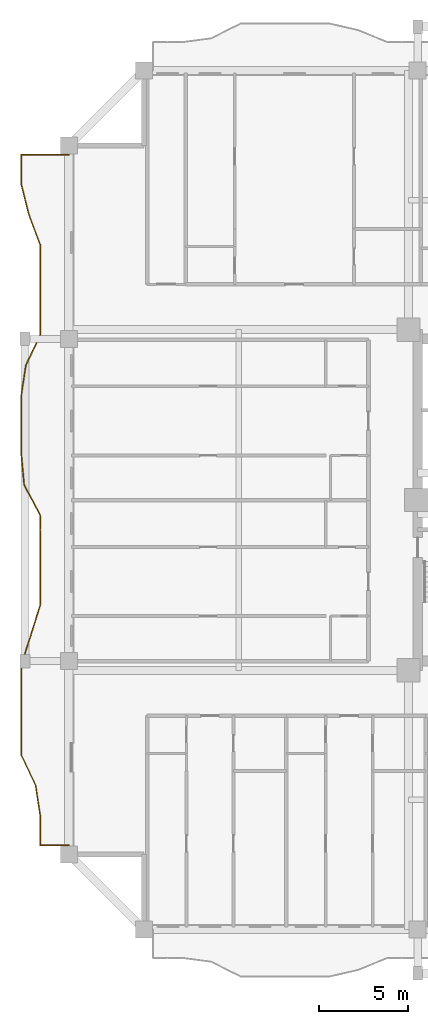
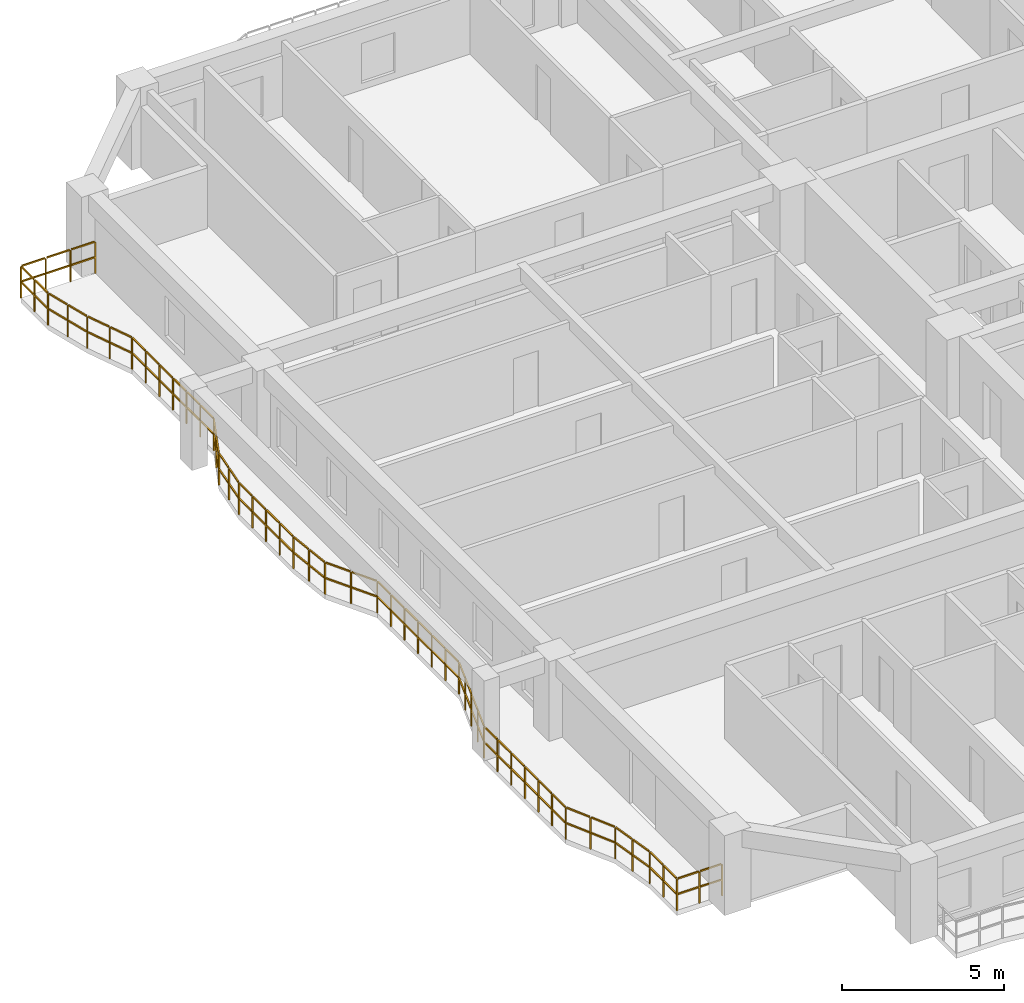
# One storey, part 10 of 13: 1 railing.
"""IFC4 building model written with IfcOpenShell, lengths in metres."""

import ifcopenshell
import ifcopenshell.guid

model = None  # the IFC model being written
_history = None  # IfcOwnerHistory: only IFC2X3 demands one
_inside = {}  # id of a spatial element -> (the spatial element, [elements in it])
_under = {}  # id of a project, library or spatial element -> (it, [spatial elements below it])
_declared = {}  # id of a project -> (the project, [libraries it declares])
_typed = {}  # id of a type object -> (the type object, [elements of that type])
_made_of = {}  # id of a material, layer set ... -> (it, [elements and type objects made of it])


def new_model(schema):
    """Start an empty IFC model of exactly this schema.

    Asked for "IFC4X3", IfcOpenShell would pick the latest addendum, in which some entities
    have other attributes; the version numbers below select the first issue.
    IFC2X3 requires an IfcOwnerHistory on every rooted entity: one is made here for all.
    """
    global model, _history
    if schema == "IFC4X3":
        model = ifcopenshell.file(schema_version=(4, 3, 0, 0))
    else:
        model = ifcopenshell.file(schema=schema)
    _inside.clear()
    _under.clear()
    _declared.clear()
    _typed.clear()
    _made_of.clear()
    _history = None
    if model.schema == "IFC2X3":
        org = make("IfcOrganization", Name="unknown")
        user = make(
            "IfcPersonAndOrganization",
            ThePerson=make("IfcPerson", FamilyName="unknown"),
            TheOrganization=org,
        )
        app = make(
            "IfcApplication",
            ApplicationDeveloper=org,
            Version="unknown",
            ApplicationFullName="unknown",
            ApplicationIdentifier="unknown",
        )
        _history = make(
            "IfcOwnerHistory",
            OwningUser=user,
            OwningApplication=app,
            ChangeAction="ADDED",
            CreationDate=0,
        )
    return model


def make(cls, **values):
    """One entity of the class cls with the attributes given. An attribute that is None is left unset."""
    return model.create_entity(
        cls, **{name: value for name, value in values.items() if value is not None}
    )


def rooted(cls, **values):
    """An entity with a GlobalId (a new one), such as an element, a storey or a relation."""
    return make(cls, GlobalId=ifcopenshell.guid.new(), OwnerHistory=_history, **values)


def si_unit(unit_type, name, prefix=None):
    """IfcSIUnit, for example si_unit("LENGTHUNIT", "METRE", prefix="MILLI")."""
    return make("IfcSIUnit", UnitType=unit_type, Prefix=prefix, Name=name)


def assignment(units):
    """IfcUnitAssignment: the units of a project."""
    return None if units is None else make("IfcUnitAssignment", Units=units)


def point(xyz):
    """IfcCartesianPoint."""
    return None if xyz is None else make("IfcCartesianPoint", Coordinates=xyz)


def direction(xyz):
    """IfcDirection."""
    return None if xyz is None else make("IfcDirection", DirectionRatios=xyz)


def frame(location, z_axis=None, x_axis=None):
    """IfcAxis2Placement3D, a coordinate frame: its origin and axes. An axis left out is left unset."""
    return make(
        "IfcAxis2Placement3D",
        Location=point(location),
        Axis=direction(z_axis),
        RefDirection=direction(x_axis),
    )


def frame_2d(location, x_axis=None):
    """IfcAxis2Placement2D, a coordinate frame in the plane: its origin and x axis."""
    return make(
        "IfcAxis2Placement2D", Location=point(location), RefDirection=direction(x_axis)
    )


def origin():
    """The frame at (0, 0, 0) with its axes left unset."""
    return frame((0.0, 0.0, 0.0))


def origin_2d():
    """The frame at (0, 0) in the plane with its x axis left unset."""
    return frame_2d((0.0, 0.0))


def place(relative_to, where):
    """IfcLocalPlacement: puts the frame where relative to a parent placement (None: the world)."""
    return make(
        "IfcLocalPlacement", PlacementRelTo=relative_to, RelativePlacement=where
    )


def context(
    kind, dimensions, precision=None, world=None, true_north=None, identifier=None
):
    """IfcGeometricRepresentationContext, for example the 3D "Model" context."""
    return make(
        "IfcGeometricRepresentationContext",
        ContextIdentifier=identifier,
        ContextType=kind,
        CoordinateSpaceDimension=dimensions,
        Precision=precision,
        WorldCoordinateSystem=world,
        TrueNorth=true_north,
    )


def subcontext(parent, identifier, kind, view, scale=None):
    """IfcGeometricRepresentationSubContext, for example "Body" below "Model"."""
    return make(
        "IfcGeometricRepresentationSubContext",
        ContextIdentifier=identifier,
        ContextType=kind,
        ParentContext=parent,
        TargetScale=scale,
        TargetView=view,
    )


def project(units=None, contexts=None):
    """IfcProject with its units and contexts."""
    return rooted(
        "IfcProject",
        Name="project",
        RepresentationContexts=contexts,
        UnitsInContext=assignment(units),
    )


def spatial(cls, under=None, at=None, **own):
    """A site, building, storey or space (cls), placed at a placement, below another one or the project."""
    s = rooted(cls, ObjectPlacement=at, **own)
    if under is not None:
        _under.setdefault(under.id(), (under, []))[1].append(s)
    return s


def profile(cls, at=None, kind="AREA", **sizes):
    """A parametric profile (cls). Its sizes go by their IFC names, for example OverallWidth=200.0."""
    return make(cls, ProfileType=kind, Position=at, **sizes)


def rectangle(**sizes):
    """IfcRectangleProfileDef."""
    return profile("IfcRectangleProfileDef", **sizes)


def extrude(swept, where, along, depth):
    """IfcExtrudedAreaSolid: the profile swept, set in the frame where, extruded along a direction by depth."""
    return make(
        "IfcExtrudedAreaSolid",
        SweptArea=swept,
        Position=where,
        ExtrudedDirection=direction(along),
        Depth=depth,
    )


def shape(context_of_items, identifier, shape_type, items):
    """IfcShapeRepresentation: the items that make up one representation, for example the "Body"."""
    return make(
        "IfcShapeRepresentation",
        ContextOfItems=context_of_items,
        RepresentationIdentifier=identifier,
        RepresentationType=shape_type,
        Items=items,
    )


def material(Name=None, Category=None):
    """IfcMaterial."""
    return make("IfcMaterial", Name=Name, Category=Category)


def made_of(thing, what):
    """Note that an element or type object is made of a material, layer set ...; save() writes the relation."""
    if what is not None:
        _made_of.setdefault(what.id(), (what, []))[1].append(thing)
    return thing


def type_object(cls, material=None, **own):
    """A type object (cls), such as IfcWallType, which elements share."""
    return made_of(rooted(cls, **own), material)


def element(
    cls,
    number,
    at=None,
    inside=None,
    cuts=None,
    type_object=None,
    material=None,
    context=None,
    identifier="Body",
    shape_type=None,
    held_by="IfcProductDefinitionShape",
    body=None,
    shapes=None,
    **own,
):
    """One element of the class cls, such as IfcWall. Its Tag is "e" and its number.

    at: its placement. inside: the storey or other place that contains it. cuts: it is an
    opening in that element (IfcRelVoidsElement). A single representation is given by context,
    identifier, shape_type and body (its items); several are given by shapes. held_by: the class
    of the entity that holds the representations. save() writes the other relations.
    """
    e = rooted(cls, Tag="e%d" % number, ObjectPlacement=at, **own)
    if body is not None:
        shapes = [shape(context, identifier, shape_type, body)]
    if shapes is not None:
        e.Representation = make(held_by, Representations=shapes)
    if inside is not None:
        _inside.setdefault(inside.id(), (inside, []))[1].append(e)
    if cuts is not None:
        rooted(
            "IfcRelVoidsElement", RelatingBuildingElement=cuts, RelatedOpeningElement=e
        )
    if type_object is not None:
        _typed.setdefault(type_object.id(), (type_object, []))[1].append(e)
    return made_of(e, material)


def aggregate(whole, parts):
    """IfcRelAggregates: a whole, such as a stair, and the parts it consists of."""
    return rooted("IfcRelAggregates", RelatingObject=whole, RelatedObjects=parts)


def save(model, path):
    """Write the relations noted so far, then the file.

    IfcRelAggregates (storeys below a building ...), IfcRelContainedInSpatialStructure (elements
    in a storey), IfcRelDefinesByType, IfcRelAssociatesMaterial and IfcRelDeclares: one each for
    every whole, place, type object, material and project.
    """
    for whole, parts in _under.values():
        aggregate(whole, parts)
    for where, things in _inside.values():
        rooted(
            "IfcRelContainedInSpatialStructure",
            RelatedElements=things,
            RelatingStructure=where,
        )
    for kind, things in _typed.values():
        rooted("IfcRelDefinesByType", RelatedObjects=things, RelatingType=kind)
    for what, things in _made_of.values():
        rooted("IfcRelAssociatesMaterial", RelatedObjects=things, RelatingMaterial=what)
    for by, libraries in _declared.values():
        rooted("IfcRelDeclares", RelatingContext=by, RelatedDefinitions=libraries)
    model.write(path)


model = new_model("IFC4")

# Units and contexts
model_context = context("Model", 3, precision=1e-05, world=origin(), true_north=direction((0.0, 1.0)))
body_context = subcontext(model_context, "Body", "Model", "MODEL_VIEW")
ifc_project = project(units=[si_unit("LENGTHUNIT", "METRE"), si_unit("AREAUNIT", "SQUARE_METRE"), si_unit("VOLUMEUNIT", "CUBIC_METRE"), si_unit("PLANEANGLEUNIT", "RADIAN"), si_unit("MASSUNIT", "GRAM", prefix="KILO")], contexts=[model_context])

# Site, building, storey
site_placement = place(None, origin())
site = spatial("IfcSite", under=ifc_project, at=site_placement, CompositionType="ELEMENT")
building_placement = place(site_placement, origin())
building = spatial("IfcBuilding", under=site, at=building_placement, Name="Saelheon Loggia Tower", CompositionType="ELEMENT")
storey_placement = place(building_placement, frame((0.0, 0.0, 83.85009765625)))
storey = spatial("IfcBuildingStorey", under=building, at=storey_placement, Name="L26", CompositionType="ELEMENT", Elevation=83.85009765625)

# Railing
ifc_material = material(Name="Architectural Precast Concrete and Laminated Glass Guard", Category="concrete")
railing_type = type_object("IfcRailingType", Name="Guard_Loggia_RL_LOG", PredefinedType="BALUSTRADE", material=ifc_material)
railing_placement = place(storey_placement, frame((12.0, 46.300048828125, 0.0)))
element("IfcRailing", 1, at=railing_placement, inside=storey, type_object=railing_type, Name="L26 West Loggia Balustrade", PredefinedType="BALUSTRADE", context=body_context, shape_type="SweptSolid", body=[
    extrude(rectangle(XDim=0.048095703125, YDim=0.048095703125, at=origin_2d()), frame((-0.033203125, 0.0, 1.19580078125), z_axis=(-1.0, 0.0, 0.0), x_axis=(0.0, -1.0, 0.0)), (0.0, 0.0, 1.0), 0.81689453125),
    extrude(rectangle(XDim=0.048095703125, YDim=0.048095703125, at=origin_2d()), frame((-0.033203125, 0.0, 0.60986328125), z_axis=(-1.0, 0.0, 0.0), x_axis=(0.0, -1.0, 0.0)), (0.0, 0.0, 1.0), 0.81689453125),
    extrude(rectangle(XDim=0.048095703125, YDim=0.048095703125, at=origin_2d()), frame((-0.91650390625, 0.0, 1.19580078125), z_axis=(-1.0, 0.0, 0.0), x_axis=(0.0, -1.0, 0.0)), (0.0, 0.0, 1.0), 0.81689453125),
    extrude(rectangle(XDim=0.048095703125, YDim=0.048095703125, at=origin_2d()), frame((-0.91650390625, 0.0, 0.60986328125), z_axis=(-1.0, 0.0, 0.0), x_axis=(0.0, -1.0, 0.0)), (0.0, 0.0, 1.0), 0.81689453125),
    extrude(rectangle(XDim=0.048095703125, YDim=0.048095703125, at=origin_2d()), frame((-1.7998046875, 0.0, 1.19580078125), z_axis=(-1.0, 0.0, 0.0), x_axis=(0.0, -1.0, 0.0)), (0.0, 0.0, 1.0), 0.81689453125),
    extrude(rectangle(XDim=0.048095703125, YDim=0.048095703125, at=origin_2d()), frame((-1.7998046875, 0.0, 0.60986328125), z_axis=(-1.0, 0.0, 0.0), x_axis=(0.0, -1.0, 0.0)), (0.0, 0.0, 1.0), 0.81689453125),
    extrude(rectangle(XDim=0.048095703125, YDim=0.048095703125, at=origin_2d()), frame((-2.64990234375, -0.033203125, 1.19580078125), z_axis=(0.0, -1.0, 0.0), x_axis=(1.0, 0.0, 0.0)), (0.0, 0.0, 1.0), 0.772705078125),
    extrude(rectangle(XDim=0.048095703125, YDim=0.048095703125, at=origin_2d()), frame((-2.64990234375, -0.033203125, 0.60986328125), z_axis=(0.0, -1.0, 0.0), x_axis=(1.0, 0.0, 0.0)), (0.0, 0.0, 1.0), 0.772705078125),
    extrude(rectangle(XDim=0.048095703125, YDim=0.048095703125, at=origin_2d()), frame((-2.64990234375, -0.87255859375, 1.19580078125), z_axis=(0.0, -1.0, 0.0), x_axis=(1.0, 0.0, 0.0)), (0.0, 0.0, 1.0), 0.772705078125),
    extrude(rectangle(XDim=0.048095703125, YDim=0.048095703125, at=origin_2d()), frame((-2.64990234375, -0.87255859375, 0.60986328125), z_axis=(0.0, -1.0, 0.0), x_axis=(1.0, 0.0, 0.0)), (0.0, 0.0, 1.0), 0.772705078125),
    extrude(rectangle(XDim=0.048095703125, YDim=0.048095703125, at=origin_2d()), frame((-2.641845703125, -1.710693359375, 1.19580078125), z_axis=(0.243830259239, -0.969817923468, 0.0), x_axis=(0.969817923468, 0.243830259239, 0.0)), (0.0, 0.0, 1.0), 0.798583984375),
    extrude(rectangle(XDim=0.048095703125, YDim=0.048095703125, at=origin_2d()), frame((-2.641845703125, -1.710693359375, 0.60986328125), z_axis=(0.243830259239, -0.969817923468, 0.0), x_axis=(0.969817923468, 0.243830259239, 0.0)), (0.0, 0.0, 1.0), 0.798583984375),
    extrude(rectangle(XDim=0.048095703125, YDim=0.048095703125, at=origin_2d()), frame((-2.430908203125, -2.5498046875, 1.19580078125), z_axis=(0.243830259239, -0.969817923468, 0.0), x_axis=(0.969817923468, 0.243830259239, 0.0)), (0.0, 0.0, 1.0), 0.798583984375),
    extrude(rectangle(XDim=0.048095703125, YDim=0.048095703125, at=origin_2d()), frame((-2.430908203125, -2.5498046875, 0.60986328125), z_axis=(0.243830259239, -0.969817923468, 0.0), x_axis=(0.969817923468, 0.243830259239, 0.0)), (0.0, 0.0, 1.0), 0.798583984375),
    extrude(rectangle(XDim=0.048095703125, YDim=0.048095703125, at=origin_2d()), frame((-2.21630859375, -3.387451171875, 1.19580078125), z_axis=(0.350391780818, -0.936603224388, 0.0), x_axis=(0.936603224388, 0.350391780818, 0.0)), (0.0, 0.0, 1.0), 0.82958984375),
    extrude(rectangle(XDim=0.048095703125, YDim=0.048095703125, at=origin_2d()), frame((-2.21630859375, -3.387451171875, 0.60986328125), z_axis=(0.350391780818, -0.936603224388, 0.0), x_axis=(0.936603224388, 0.350391780818, 0.0)), (0.0, 0.0, 1.0), 0.82958984375),
    extrude(rectangle(XDim=0.048095703125, YDim=0.048095703125, at=origin_2d()), frame((-1.90234375, -4.226806640625, 1.19580078125), z_axis=(0.350391780818, -0.936603224388, 0.0), x_axis=(0.936603224388, 0.350391780818, 0.0)), (0.0, 0.0, 1.0), 0.82958984375),
    extrude(rectangle(XDim=0.048095703125, YDim=0.048095703125, at=origin_2d()), frame((-1.90234375, -4.226806640625, 0.60986328125), z_axis=(0.350391780818, -0.936603224388, 0.0), x_axis=(0.936603224388, 0.350391780818, 0.0)), (0.0, 0.0, 1.0), 0.82958984375),
    extrude(rectangle(XDim=0.048095703125, YDim=0.048095703125, at=origin_2d()), frame((-1.60009765625, -5.068115234375, 1.19580078125), z_axis=(0.0, -1.0, 0.0), x_axis=(1.0, 0.0, 0.0)), (0.0, 0.0, 1.0), 0.772705078125),
    extrude(rectangle(XDim=0.048095703125, YDim=0.048095703125, at=origin_2d()), frame((-1.60009765625, -5.068115234375, 0.60986328125), z_axis=(0.0, -1.0, 0.0), x_axis=(1.0, 0.0, 0.0)), (0.0, 0.0, 1.0), 0.772705078125),
    extrude(rectangle(XDim=0.048095703125, YDim=0.048095703125, at=origin_2d()), frame((-1.60009765625, -5.9072265625, 1.19580078125), z_axis=(0.0, -1.0, 0.0), x_axis=(1.0, 0.0, 0.0)), (0.0, 0.0, 1.0), 0.772705078125),
    extrude(rectangle(XDim=0.048095703125, YDim=0.048095703125, at=origin_2d()), frame((-1.60009765625, -5.9072265625, 0.60986328125), z_axis=(0.0, -1.0, 0.0), x_axis=(1.0, 0.0, 0.0)), (0.0, 0.0, 1.0), 0.772705078125),
    extrude(rectangle(XDim=0.048095703125, YDim=0.048095703125, at=origin_2d()), frame((-1.60009765625, -6.746337890625, 1.19580078125), z_axis=(0.0, -1.0, 0.0), x_axis=(1.0, 0.0, 0.0)), (0.0, 0.0, 1.0), 0.772705078125),
    extrude(rectangle(XDim=0.048095703125, YDim=0.048095703125, at=origin_2d()), frame((-1.60009765625, -6.746337890625, 0.60986328125), z_axis=(0.0, -1.0, 0.0), x_axis=(1.0, 0.0, 0.0)), (0.0, 0.0, 1.0), 0.772705078125),
    extrude(rectangle(XDim=0.048095703125, YDim=0.048095703125, at=origin_2d()), frame((-1.60009765625, -7.58544921875, 1.19580078125), z_axis=(0.0, -1.0, 0.0), x_axis=(1.0, 0.0, 0.0)), (0.0, 0.0, 1.0), 0.772705078125),
    extrude(rectangle(XDim=0.048095703125, YDim=0.048095703125, at=origin_2d()), frame((-1.60009765625, -7.58544921875, 0.60986328125), z_axis=(0.0, -1.0, 0.0), x_axis=(1.0, 0.0, 0.0)), (0.0, 0.0, 1.0), 0.772705078125),
    extrude(rectangle(XDim=0.048095703125, YDim=0.048095703125, at=origin_2d()), frame((-1.60009765625, -8.424560546875, 1.19580078125), z_axis=(0.0, -1.0, 0.0), x_axis=(1.0, 0.0, 0.0)), (0.0, 0.0, 1.0), 0.772705078125),
    extrude(rectangle(XDim=0.048095703125, YDim=0.048095703125, at=origin_2d()), frame((-1.60009765625, -8.424560546875, 0.60986328125), z_axis=(0.0, -1.0, 0.0), x_axis=(1.0, 0.0, 0.0)), (0.0, 0.0, 1.0), 0.772705078125),
    extrude(rectangle(XDim=0.048095703125, YDim=0.048095703125, at=origin_2d()), frame((-1.60009765625, -9.263671875, 1.19580078125), z_axis=(0.0, -1.0, 0.0), x_axis=(1.0, 0.0, 0.0)), (0.0, 0.0, 1.0), 0.772705078125),
    extrude(rectangle(XDim=0.048095703125, YDim=0.048095703125, at=origin_2d()), frame((-1.60009765625, -9.263671875, 0.60986328125), z_axis=(0.0, -1.0, 0.0), x_axis=(1.0, 0.0, 0.0)), (0.0, 0.0, 1.0), 0.772705078125),
    extrude(rectangle(XDim=0.048095703125, YDim=0.048095703125, at=origin_2d()), frame((-1.6142578125, -10.099609375, 1.19580078125), z_axis=(-0.42678516989, -0.904353038786, 0.0), x_axis=(0.904353038786, -0.42678516989, 0.0)), (0.0, 0.0, 1.0), 0.861328125),
    extrude(rectangle(XDim=0.048095703125, YDim=0.048095703125, at=origin_2d()), frame((-1.6142578125, -10.099609375, 0.60986328125), z_axis=(-0.42678516989, -0.904353038786, 0.0), x_axis=(0.904353038786, -0.42678516989, 0.0)), (0.0, 0.0, 1.0), 0.861328125),
    extrude(rectangle(XDim=0.048095703125, YDim=0.048095703125, at=origin_2d()), frame((-2.01025390625, -10.938720703125, 1.19580078125), z_axis=(-0.42678516989, -0.904353038786, 0.0), x_axis=(0.904353038786, -0.42678516989, 0.0)), (0.0, 0.0, 1.0), 0.861328125),
    extrude(rectangle(XDim=0.048095703125, YDim=0.048095703125, at=origin_2d()), frame((-2.01025390625, -10.938720703125, 0.60986328125), z_axis=(-0.42678516989, -0.904353038786, 0.0), x_axis=(0.904353038786, -0.42678516989, 0.0)), (0.0, 0.0, 1.0), 0.861328125),
    extrude(rectangle(XDim=0.048095703125, YDim=0.048095703125, at=origin_2d()), frame((-2.397216796875, -11.78076171875, 1.19580078125), z_axis=(-0.151819504814, -0.988408234465, 0.0), x_axis=(0.988408234465, -0.151819504814, 0.0)), (0.0, 0.0, 1.0), 0.78271484375),
    extrude(rectangle(XDim=0.048095703125, YDim=0.048095703125, at=origin_2d()), frame((-2.397216796875, -11.78076171875, 0.60986328125), z_axis=(-0.151819504814, -0.988408234465, 0.0), x_axis=(0.988408234465, -0.151819504814, 0.0)), (0.0, 0.0, 1.0), 0.78271484375),
    extrude(rectangle(XDim=0.048095703125, YDim=0.048095703125, at=origin_2d()), frame((-2.526123046875, -12.619873046875, 1.19580078125), z_axis=(-0.151819504814, -0.988408234465, 0.0), x_axis=(0.988408234465, -0.151819504814, 0.0)), (0.0, 0.0, 1.0), 0.78271484375),
    extrude(rectangle(XDim=0.048095703125, YDim=0.048095703125, at=origin_2d()), frame((-2.526123046875, -12.619873046875, 0.60986328125), z_axis=(-0.151819504814, -0.988408234465, 0.0), x_axis=(0.988408234465, -0.151819504814, 0.0)), (0.0, 0.0, 1.0), 0.78271484375),
    extrude(rectangle(XDim=0.048095703125, YDim=0.048095703125, at=origin_2d()), frame((-2.64990234375, -13.45947265625, 1.19580078125), z_axis=(0.0, -1.0, 0.0), x_axis=(1.0, 0.0, 0.0)), (0.0, 0.0, 1.0), 0.7724609375),
    extrude(rectangle(XDim=0.048095703125, YDim=0.048095703125, at=origin_2d()), frame((-2.64990234375, -13.45947265625, 0.60986328125), z_axis=(0.0, -1.0, 0.0), x_axis=(1.0, 0.0, 0.0)), (0.0, 0.0, 1.0), 0.7724609375),
    extrude(rectangle(XDim=0.048095703125, YDim=0.048095703125, at=origin_2d()), frame((-2.64990234375, -14.298583984375, 1.19580078125), z_axis=(0.0, -1.0, 0.0), x_axis=(1.0, 0.0, 0.0)), (0.0, 0.0, 1.0), 0.7724609375),
    extrude(rectangle(XDim=0.048095703125, YDim=0.048095703125, at=origin_2d()), frame((-2.64990234375, -14.298583984375, 0.60986328125), z_axis=(0.0, -1.0, 0.0), x_axis=(1.0, 0.0, 0.0)), (0.0, 0.0, 1.0), 0.7724609375),
    extrude(rectangle(XDim=0.048095703125, YDim=0.048095703125, at=origin_2d()), frame((-2.64990234375, -15.137451171875, 1.19580078125), z_axis=(0.0, -1.0, 0.0), x_axis=(1.0, 0.0, 0.0)), (0.0, 0.0, 1.0), 0.772705078125),
    extrude(rectangle(XDim=0.048095703125, YDim=0.048095703125, at=origin_2d()), frame((-2.64990234375, -15.137451171875, 0.60986328125), z_axis=(0.0, -1.0, 0.0), x_axis=(1.0, 0.0, 0.0)), (0.0, 0.0, 1.0), 0.772705078125),
    extrude(rectangle(XDim=0.048095703125, YDim=0.048095703125, at=origin_2d()), frame((-2.64990234375, -15.976806640625, 1.19580078125), z_axis=(0.0, -1.0, 0.0), x_axis=(1.0, 0.0, 0.0)), (0.0, 0.0, 1.0), 0.772705078125),
    extrude(rectangle(XDim=0.048095703125, YDim=0.048095703125, at=origin_2d()), frame((-2.64990234375, -15.976806640625, 0.60986328125), z_axis=(0.0, -1.0, 0.0), x_axis=(1.0, 0.0, 0.0)), (0.0, 0.0, 1.0), 0.772705078125),
    extrude(rectangle(XDim=0.048095703125, YDim=0.048095703125, at=origin_2d()), frame((-2.646728515625, -16.81591796875, 1.19580078125), z_axis=(0.092703521138, -0.995693756719, 0.0), x_axis=(0.995693756719, 0.092703521138, 0.0)), (0.0, 0.0, 1.0), 0.7763671875),
    extrude(rectangle(XDim=0.048095703125, YDim=0.048095703125, at=origin_2d()), frame((-2.646728515625, -16.81591796875, 0.60986328125), z_axis=(0.092703521138, -0.995693756719, 0.0), x_axis=(0.995693756719, 0.092703521138, 0.0)), (0.0, 0.0, 1.0), 0.7763671875),
    extrude(rectangle(XDim=0.048095703125, YDim=0.048095703125, at=origin_2d()), frame((-2.568603515625, -17.655029296875, 1.19580078125), z_axis=(0.092703521138, -0.995693756719, 0.0), x_axis=(0.995693756719, 0.092703521138, 0.0)), (0.0, 0.0, 1.0), 0.7763671875),
    extrude(rectangle(XDim=0.048095703125, YDim=0.048095703125, at=origin_2d()), frame((-2.568603515625, -17.655029296875, 0.60986328125), z_axis=(0.092703521138, -0.995693756719, 0.0), x_axis=(0.995693756719, 0.092703521138, 0.0)), (0.0, 0.0, 1.0), 0.7763671875),
    extrude(rectangle(XDim=0.048095703125, YDim=0.048095703125, at=origin_2d()), frame((-2.47802734375, -18.490234375, 1.19580078125), z_axis=(0.469474503482, -0.882946029257, 0.0), x_axis=(0.882946029257, 0.469474503482, 0.0)), (0.0, 0.0, 1.0), 0.8837890625),
    extrude(rectangle(XDim=0.048095703125, YDim=0.048095703125, at=origin_2d()), frame((-2.47802734375, -18.490234375, 0.60986328125), z_axis=(0.469474503482, -0.882946029257, 0.0), x_axis=(0.882946029257, 0.469474503482, 0.0)), (0.0, 0.0, 1.0), 0.8837890625),
    extrude(rectangle(XDim=0.048095703125, YDim=0.048095703125, at=origin_2d()), frame((-2.031982421875, -19.329345703125, 1.19580078125), z_axis=(0.469474503482, -0.882946029257, 0.0), x_axis=(0.882946029257, 0.469474503482, 0.0)), (0.0, 0.0, 1.0), 0.8837890625),
    extrude(rectangle(XDim=0.048095703125, YDim=0.048095703125, at=origin_2d()), frame((-2.031982421875, -19.329345703125, 0.60986328125), z_axis=(0.469474503482, -0.882946029257, 0.0), x_axis=(0.882946029257, 0.469474503482, 0.0)), (0.0, 0.0, 1.0), 0.8837890625),
    extrude(rectangle(XDim=0.048095703125, YDim=0.048095703125, at=origin_2d()), frame((-1.601318359375, -20.17236328125, 1.19580078125), z_axis=(0.000727378335, -0.99999973546, 0.0), x_axis=(0.99999973546, 0.000727378335, 0.0)), (0.0, 0.0, 1.0), 0.772705078125),
    extrude(rectangle(XDim=0.048095703125, YDim=0.048095703125, at=origin_2d()), frame((-1.601318359375, -20.17236328125, 0.60986328125), z_axis=(0.000727378335, -0.99999973546, 0.0), x_axis=(0.99999973546, 0.000727378335, 0.0)), (0.0, 0.0, 1.0), 0.772705078125),
    extrude(rectangle(XDim=0.048095703125, YDim=0.048095703125, at=origin_2d()), frame((-1.6005859375, -21.011474609375, 1.19580078125), z_axis=(0.000727378335, -0.99999973546, 0.0), x_axis=(0.99999973546, 0.000727378335, 0.0)), (0.0, 0.0, 1.0), 0.772705078125),
    extrude(rectangle(XDim=0.048095703125, YDim=0.048095703125, at=origin_2d()), frame((-1.6005859375, -21.011474609375, 0.60986328125), z_axis=(0.000727378335, -0.99999973546, 0.0), x_axis=(0.99999973546, 0.000727378335, 0.0)), (0.0, 0.0, 1.0), 0.772705078125),
    extrude(rectangle(XDim=0.048095703125, YDim=0.048095703125, at=origin_2d()), frame((-1.60009765625, -21.8505859375, 1.19580078125), z_axis=(0.0, -1.0, 0.0), x_axis=(1.0, 0.0, 0.0)), (0.0, 0.0, 1.0), 0.772705078125),
    extrude(rectangle(XDim=0.048095703125, YDim=0.048095703125, at=origin_2d()), frame((-1.60009765625, -21.8505859375, 0.60986328125), z_axis=(0.0, -1.0, 0.0), x_axis=(1.0, 0.0, 0.0)), (0.0, 0.0, 1.0), 0.772705078125),
    extrude(rectangle(XDim=0.048095703125, YDim=0.048095703125, at=origin_2d()), frame((-1.60009765625, -22.68994140625, 1.19580078125), z_axis=(0.0, -1.0, 0.0), x_axis=(1.0, 0.0, 0.0)), (0.0, 0.0, 1.0), 0.772705078125),
    extrude(rectangle(XDim=0.048095703125, YDim=0.048095703125, at=origin_2d()), frame((-1.60009765625, -22.68994140625, 0.60986328125), z_axis=(0.0, -1.0, 0.0), x_axis=(1.0, 0.0, 0.0)), (0.0, 0.0, 1.0), 0.772705078125),
    extrude(rectangle(XDim=0.048095703125, YDim=0.048095703125, at=origin_2d()), frame((-1.60009765625, -23.529052734375, 1.19580078125), z_axis=(0.0, -1.0, 0.0), x_axis=(1.0, 0.0, 0.0)), (0.0, 0.0, 1.0), 0.7724609375),
    extrude(rectangle(XDim=0.048095703125, YDim=0.048095703125, at=origin_2d()), frame((-1.60009765625, -23.529052734375, 0.60986328125), z_axis=(0.0, -1.0, 0.0), x_axis=(1.0, 0.0, 0.0)), (0.0, 0.0, 1.0), 0.7724609375),
    extrude(rectangle(XDim=0.048095703125, YDim=0.048095703125, at=origin_2d()), frame((-1.60009765625, -24.3681640625, 1.19580078125), z_axis=(0.0, -1.0, 0.0), x_axis=(1.0, 0.0, 0.0)), (0.0, 0.0, 1.0), 0.7724609375),
    extrude(rectangle(XDim=0.048095703125, YDim=0.048095703125, at=origin_2d()), frame((-1.60009765625, -24.3681640625, 0.60986328125), z_axis=(0.0, -1.0, 0.0), x_axis=(1.0, 0.0, 0.0)), (0.0, 0.0, 1.0), 0.7724609375),
    extrude(rectangle(XDim=0.048095703125, YDim=0.048095703125, at=origin_2d()), frame((-1.610107421875, -25.20556640625, 1.19580078125), z_axis=(-0.297966647273, -0.954576281453, 0.0), x_axis=(0.954576281453, -0.297966647273, 0.0)), (0.0, 0.0, 1.0), 0.812744140625),
    extrude(rectangle(XDim=0.048095703125, YDim=0.048095703125, at=origin_2d()), frame((-1.610107421875, -25.20556640625, 0.60986328125), z_axis=(-0.297966647273, -0.954576281453, 0.0), x_axis=(0.954576281453, -0.297966647273, 0.0)), (0.0, 0.0, 1.0), 0.812744140625),
    extrude(rectangle(XDim=0.048095703125, YDim=0.048095703125, at=origin_2d()), frame((-1.8720703125, -26.044677734375, 1.19580078125), z_axis=(-0.297966647273, -0.954576281453, 0.0), x_axis=(0.954576281453, -0.297966647273, 0.0)), (0.0, 0.0, 1.0), 0.812744140625),
    extrude(rectangle(XDim=0.048095703125, YDim=0.048095703125, at=origin_2d()), frame((-1.8720703125, -26.044677734375, 0.60986328125), z_axis=(-0.297966647273, -0.954576281453, 0.0), x_axis=(0.954576281453, -0.297966647273, 0.0)), (0.0, 0.0, 1.0), 0.812744140625),
    extrude(rectangle(XDim=0.048095703125, YDim=0.048095703125, at=origin_2d()), frame((-2.134033203125, -26.884033203125, 1.19580078125), z_axis=(-0.299017909957, -0.954247499093, 0.0), x_axis=(0.954247499093, -0.299017909957, 0.0)), (0.0, 0.0, 1.0), 0.81298828125),
    extrude(rectangle(XDim=0.048095703125, YDim=0.048095703125, at=origin_2d()), frame((-2.134033203125, -26.884033203125, 0.60986328125), z_axis=(-0.299017909957, -0.954247499093, 0.0), x_axis=(0.954247499093, -0.299017909957, 0.0)), (0.0, 0.0, 1.0), 0.81298828125),
    extrude(rectangle(XDim=0.048095703125, YDim=0.048095703125, at=origin_2d()), frame((-2.39697265625, -27.72314453125, 1.19580078125), z_axis=(-0.299017909957, -0.954247499093, 0.0), x_axis=(0.954247499093, -0.299017909957, 0.0)), (0.0, 0.0, 1.0), 0.81298828125),
    extrude(rectangle(XDim=0.048095703125, YDim=0.048095703125, at=origin_2d()), frame((-2.39697265625, -27.72314453125, 0.60986328125), z_axis=(-0.299017909957, -0.954247499093, 0.0), x_axis=(0.954247499093, -0.299017909957, 0.0)), (0.0, 0.0, 1.0), 0.81298828125),
    extrude(rectangle(XDim=0.048095703125, YDim=0.048095703125, at=origin_2d()), frame((-2.64990234375, -28.563720703125, 1.19580078125), z_axis=(0.0, -1.0, 0.0), x_axis=(1.0, 0.0, 0.0)), (0.0, 0.0, 1.0), 0.772705078125),
    extrude(rectangle(XDim=0.048095703125, YDim=0.048095703125, at=origin_2d()), frame((-2.64990234375, -28.563720703125, 0.60986328125), z_axis=(0.0, -1.0, 0.0), x_axis=(1.0, 0.0, 0.0)), (0.0, 0.0, 1.0), 0.772705078125),
    extrude(rectangle(XDim=0.048095703125, YDim=0.048095703125, at=origin_2d()), frame((-2.64990234375, -29.40283203125, 1.19580078125), z_axis=(0.0, -1.0, 0.0), x_axis=(1.0, 0.0, 0.0)), (0.0, 0.0, 1.0), 0.772705078125),
    extrude(rectangle(XDim=0.048095703125, YDim=0.048095703125, at=origin_2d()), frame((-2.64990234375, -29.40283203125, 0.60986328125), z_axis=(0.0, -1.0, 0.0), x_axis=(1.0, 0.0, 0.0)), (0.0, 0.0, 1.0), 0.772705078125),
    extrude(rectangle(XDim=0.048095703125, YDim=0.048095703125, at=origin_2d()), frame((-2.64990234375, -30.241943359375, 1.19580078125), z_axis=(0.0, -1.0, 0.0), x_axis=(1.0, 0.0, 0.0)), (0.0, 0.0, 1.0), 0.772705078125),
    extrude(rectangle(XDim=0.048095703125, YDim=0.048095703125, at=origin_2d()), frame((-2.64990234375, -30.241943359375, 0.60986328125), z_axis=(0.0, -1.0, 0.0), x_axis=(1.0, 0.0, 0.0)), (0.0, 0.0, 1.0), 0.772705078125),
    extrude(rectangle(XDim=0.048095703125, YDim=0.048095703125, at=origin_2d()), frame((-2.64990234375, -31.0810546875, 1.19580078125), z_axis=(0.0, -1.0, 0.0), x_axis=(1.0, 0.0, 0.0)), (0.0, 0.0, 1.0), 0.772705078125),
    extrude(rectangle(XDim=0.048095703125, YDim=0.048095703125, at=origin_2d()), frame((-2.64990234375, -31.0810546875, 0.60986328125), z_axis=(0.0, -1.0, 0.0), x_axis=(1.0, 0.0, 0.0)), (0.0, 0.0, 1.0), 0.772705078125),
    extrude(rectangle(XDim=0.048095703125, YDim=0.048095703125, at=origin_2d()), frame((-2.64990234375, -31.920166015625, 1.19580078125), z_axis=(0.0, -1.0, 0.0), x_axis=(1.0, 0.0, 0.0)), (0.0, 0.0, 1.0), 0.772705078125),
    extrude(rectangle(XDim=0.048095703125, YDim=0.048095703125, at=origin_2d()), frame((-2.64990234375, -31.920166015625, 0.60986328125), z_axis=(0.0, -1.0, 0.0), x_axis=(1.0, 0.0, 0.0)), (0.0, 0.0, 1.0), 0.772705078125),
    extrude(rectangle(XDim=0.048095703125, YDim=0.048095703125, at=origin_2d()), frame((-2.64990234375, -32.75927734375, 1.19580078125), z_axis=(0.0, -1.0, 0.0), x_axis=(1.0, 0.0, 0.0)), (0.0, 0.0, 1.0), 0.772705078125),
    extrude(rectangle(XDim=0.048095703125, YDim=0.048095703125, at=origin_2d()), frame((-2.64990234375, -32.75927734375, 0.60986328125), z_axis=(0.0, -1.0, 0.0), x_axis=(1.0, 0.0, 0.0)), (0.0, 0.0, 1.0), 0.772705078125),
    extrude(rectangle(XDim=0.048095703125, YDim=0.048095703125, at=origin_2d()), frame((-2.6357421875, -33.59521484375, 1.19580078125), z_axis=(0.427272125585, -0.90412307276, 0.0), x_axis=(0.90412307276, 0.427272125585, 0.0)), (0.0, 0.0, 1.0), 0.86181640625),
    extrude(rectangle(XDim=0.048095703125, YDim=0.048095703125, at=origin_2d()), frame((-2.6357421875, -33.59521484375, 0.60986328125), z_axis=(0.427272125585, -0.90412307276, 0.0), x_axis=(0.90412307276, 0.427272125585, 0.0)), (0.0, 0.0, 1.0), 0.86181640625),
    extrude(rectangle(XDim=0.048095703125, YDim=0.048095703125, at=origin_2d()), frame((-2.239013671875, -34.4345703125, 1.19580078125), z_axis=(0.427272125585, -0.90412307276, 0.0), x_axis=(0.90412307276, 0.427272125585, 0.0)), (0.0, 0.0, 1.0), 0.86181640625),
    extrude(rectangle(XDim=0.048095703125, YDim=0.048095703125, at=origin_2d()), frame((-2.239013671875, -34.4345703125, 0.60986328125), z_axis=(0.427272125585, -0.90412307276, 0.0), x_axis=(0.90412307276, 0.427272125585, 0.0)), (0.0, 0.0, 1.0), 0.86181640625),
    extrude(rectangle(XDim=0.048095703125, YDim=0.048095703125, at=origin_2d()), frame((-1.8515625, -35.276611328125, 1.19580078125), z_axis=(0.15116008587, -0.988509296082, 0.0), x_axis=(0.988509296082, 0.15116008587, 0.0)), (0.0, 0.0, 1.0), 0.7822265625),
    extrude(rectangle(XDim=0.048095703125, YDim=0.048095703125, at=origin_2d()), frame((-1.8515625, -35.276611328125, 0.60986328125), z_axis=(0.15116008587, -0.988509296082, 0.0), x_axis=(0.988509296082, 0.15116008587, 0.0)), (0.0, 0.0, 1.0), 0.7822265625),
    extrude(rectangle(XDim=0.048095703125, YDim=0.048095703125, at=origin_2d()), frame((-1.723388671875, -36.115478515625, 1.19580078125), z_axis=(0.15116008587, -0.988509296082, 0.0), x_axis=(0.988509296082, 0.15116008587, 0.0)), (0.0, 0.0, 1.0), 0.7822265625),
    extrude(rectangle(XDim=0.048095703125, YDim=0.048095703125, at=origin_2d()), frame((-1.723388671875, -36.115478515625, 0.60986328125), z_axis=(0.15116008587, -0.988509296082, 0.0), x_axis=(0.988509296082, 0.15116008587, 0.0)), (0.0, 0.0, 1.0), 0.7822265625),
    extrude(rectangle(XDim=0.048095703125, YDim=0.048095703125, at=origin_2d()), frame((-1.60009765625, -36.954833984375, 1.19580078125), z_axis=(0.0, -1.0, 0.0), x_axis=(1.0, 0.0, 0.0)), (0.0, 0.0, 1.0), 0.772705078125),
    extrude(rectangle(XDim=0.048095703125, YDim=0.048095703125, at=origin_2d()), frame((-1.60009765625, -36.954833984375, 0.60986328125), z_axis=(0.0, -1.0, 0.0), x_axis=(1.0, 0.0, 0.0)), (0.0, 0.0, 1.0), 0.772705078125),
    extrude(rectangle(XDim=0.048095703125, YDim=0.048095703125, at=origin_2d()), frame((-1.60009765625, -37.794189453125, 1.19580078125), z_axis=(0.0, -1.0, 0.0), x_axis=(1.0, 0.0, 0.0)), (0.0, 0.0, 1.0), 0.772705078125),
    extrude(rectangle(XDim=0.048095703125, YDim=0.048095703125, at=origin_2d()), frame((-1.60009765625, -37.794189453125, 0.60986328125), z_axis=(0.0, -1.0, 0.0), x_axis=(1.0, 0.0, 0.0)), (0.0, 0.0, 1.0), 0.772705078125),
    extrude(rectangle(XDim=0.048095703125, YDim=0.048095703125, at=origin_2d()), frame((-1.56689453125, -38.60009765625, 1.19580078125), z_axis=(1.0, 0.0, 0.0), x_axis=(0.0, 1.0, 0.0)), (0.0, 0.0, 1.0), 0.733642578125),
    extrude(rectangle(XDim=0.048095703125, YDim=0.048095703125, at=origin_2d()), frame((-1.56689453125, -38.60009765625, 0.60986328125), z_axis=(1.0, 0.0, 0.0), x_axis=(0.0, 1.0, 0.0)), (0.0, 0.0, 1.0), 0.733642578125),
    extrude(rectangle(XDim=0.048095703125, YDim=0.048095703125, at=origin_2d()), frame((-0.766845703125, -38.60009765625, 1.19580078125), z_axis=(1.0, 0.0, 0.0), x_axis=(0.0, 1.0, 0.0)), (0.0, 0.0, 1.0), 0.733642578125),
    extrude(rectangle(XDim=0.048095703125, YDim=0.048095703125, at=origin_2d()), frame((-0.766845703125, -38.60009765625, 0.60986328125), z_axis=(1.0, 0.0, 0.0), x_axis=(0.0, 1.0, 0.0)), (0.0, 0.0, 1.0), 0.733642578125),
    extrude(rectangle(XDim=0.0419921875, YDim=0.0419921875, at=origin_2d()), origin(), (0.0, 0.0, 1.0), 1.16796875),
    extrude(rectangle(XDim=0.0419921875, YDim=0.0419921875, at=origin_2d()), frame((-0.88330078125, 0.0, 0.0)), (0.0, 0.0, 1.0), 1.16796875),
    extrude(rectangle(XDim=0.0419921875, YDim=0.0419921875, at=origin_2d()), frame((-1.7666015625, 0.0, 0.0)), (0.0, 0.0, 1.0), 1.16796875),
    extrude(rectangle(XDim=0.0419921875, YDim=0.0419921875, at=origin_2d()), frame((-2.64990234375, 0.0, 0.0)), (0.0, 0.0, 1.0), 1.16796875),
    extrude(rectangle(XDim=0.0419921875, YDim=0.0419921875, at=origin_2d()), frame((-2.64990234375, -0.83935546875, 0.0)), (0.0, 0.0, 1.0), 1.16796875),
    extrude(rectangle(XDim=0.0419921875, YDim=0.0419921875, at=origin_2d()), frame((-2.64990234375, -1.678466796875, 0.0)), (0.0, 0.0, 1.0), 1.16796875),
    extrude(rectangle(XDim=0.0419921875, YDim=0.0419921875, at=origin_2d()), frame((-2.43896484375, -2.517578125, 0.0)), (0.0, 0.0, 1.0), 1.16796875),
    extrude(rectangle(XDim=0.0419921875, YDim=0.0419921875, at=origin_2d()), frame((-2.22802734375, -3.3564453125, 0.0)), (0.0, 0.0, 1.0), 1.16796875),
    extrude(rectangle(XDim=0.0419921875, YDim=0.0419921875, at=origin_2d()), frame((-1.9140625, -4.19580078125, 0.0)), (0.0, 0.0, 1.0), 1.16796875),
    extrude(rectangle(XDim=0.0419921875, YDim=0.0419921875, at=origin_2d()), frame((-1.60009765625, -5.034912109375, 0.0)), (0.0, 0.0, 1.0), 1.16796875),
    extrude(rectangle(XDim=0.0419921875, YDim=0.0419921875, at=origin_2d()), frame((-1.60009765625, -5.8740234375, 0.0)), (0.0, 0.0, 1.0), 1.16796875),
    extrude(rectangle(XDim=0.0419921875, YDim=0.0419921875, at=origin_2d()), frame((-1.60009765625, -6.713134765625, 0.0)), (0.0, 0.0, 1.0), 1.16796875),
    extrude(rectangle(XDim=0.0419921875, YDim=0.0419921875, at=origin_2d()), frame((-1.60009765625, -7.55224609375, 0.0)), (0.0, 0.0, 1.0), 1.16796875),
    extrude(rectangle(XDim=0.0419921875, YDim=0.0419921875, at=origin_2d()), frame((-1.60009765625, -8.391357421875, 0.0)), (0.0, 0.0, 1.0), 1.16796875),
    extrude(rectangle(XDim=0.0419921875, YDim=0.0419921875, at=origin_2d()), frame((-1.60009765625, -9.23046875, 0.0)), (0.0, 0.0, 1.0), 1.16796875),
    extrude(rectangle(XDim=0.0419921875, YDim=0.0419921875, at=origin_2d()), frame((-1.60009765625, -10.069580078125, 0.0)), (0.0, 0.0, 1.0), 1.16796875),
    extrude(rectangle(XDim=0.0419921875, YDim=0.0419921875, at=origin_2d()), frame((-1.99609375, -10.90869140625, 0.0)), (0.0, 0.0, 1.0), 1.16796875),
    extrude(rectangle(XDim=0.0419921875, YDim=0.0419921875, at=origin_2d()), frame((-2.39208984375, -11.747802734375, 0.0)), (0.0, 0.0, 1.0), 1.16796875),
    extrude(rectangle(XDim=0.0419921875, YDim=0.0419921875, at=origin_2d()), frame((-2.52099609375, -12.5869140625, 0.0)), (0.0, 0.0, 1.0), 1.16796875),
    extrude(rectangle(XDim=0.0419921875, YDim=0.0419921875, at=origin_2d()), frame((-2.64990234375, -13.42626953125, 0.0)), (0.0, 0.0, 1.0), 1.16796875),
    extrude(rectangle(XDim=0.0419921875, YDim=0.0419921875, at=origin_2d()), frame((-2.64990234375, -14.26513671875, 0.0)), (0.0, 0.0, 1.0), 1.16796875),
    extrude(rectangle(XDim=0.0419921875, YDim=0.0419921875, at=origin_2d()), frame((-2.64990234375, -15.104248046875, 0.0)), (0.0, 0.0, 1.0), 1.16796875),
    extrude(rectangle(XDim=0.0419921875, YDim=0.0419921875, at=origin_2d()), frame((-2.64990234375, -15.943359375, 0.0)), (0.0, 0.0, 1.0), 1.16796875),
    extrude(rectangle(XDim=0.0419921875, YDim=0.0419921875, at=origin_2d()), frame((-2.64990234375, -16.78271484375, 0.0)), (0.0, 0.0, 1.0), 1.16796875),
    extrude(rectangle(XDim=0.0419921875, YDim=0.0419921875, at=origin_2d()), frame((-2.57177734375, -17.621826171875, 0.0)), (0.0, 0.0, 1.0), 1.16796875),
    extrude(rectangle(XDim=0.0419921875, YDim=0.0419921875, at=origin_2d()), frame((-2.49365234375, -18.4609375, 0.0)), (0.0, 0.0, 1.0), 1.16796875),
    extrude(rectangle(XDim=0.0419921875, YDim=0.0419921875, at=origin_2d()), frame((-2.04736328125, -19.300048828125, 0.0)), (0.0, 0.0, 1.0), 1.16796875),
    extrude(rectangle(XDim=0.0419921875, YDim=0.0419921875, at=origin_2d()), frame((-1.601318359375, -20.13916015625, 0.0)), (0.0, 0.0, 1.0), 1.16796875),
    extrude(rectangle(XDim=0.0419921875, YDim=0.0419921875, at=origin_2d()), frame((-1.6005859375, -20.978271484375, 0.0)), (0.0, 0.0, 1.0), 1.16796875),
    extrude(rectangle(XDim=0.0419921875, YDim=0.0419921875, at=origin_2d()), frame((-1.60009765625, -21.8173828125, 0.0)), (0.0, 0.0, 1.0), 1.16796875),
    extrude(rectangle(XDim=0.0419921875, YDim=0.0419921875, at=origin_2d()), frame((-1.60009765625, -22.65673828125, 0.0)), (0.0, 0.0, 1.0), 1.16796875),
    extrude(rectangle(XDim=0.0419921875, YDim=0.0419921875, at=origin_2d()), frame((-1.60009765625, -23.495849609375, 0.0)), (0.0, 0.0, 1.0), 1.16796875),
    extrude(rectangle(XDim=0.0419921875, YDim=0.0419921875, at=origin_2d()), frame((-1.60009765625, -24.3349609375, 0.0)), (0.0, 0.0, 1.0), 1.16796875),
    extrude(rectangle(XDim=0.0419921875, YDim=0.0419921875, at=origin_2d()), frame((-1.60009765625, -25.173828125, 0.0)), (0.0, 0.0, 1.0), 1.16796875),
    extrude(rectangle(XDim=0.0419921875, YDim=0.0419921875, at=origin_2d()), frame((-1.862060546875, -26.01318359375, 0.0)), (0.0, 0.0, 1.0), 1.16796875),
    extrude(rectangle(XDim=0.0419921875, YDim=0.0419921875, at=origin_2d()), frame((-2.1240234375, -26.852294921875, 0.0)), (0.0, 0.0, 1.0), 1.16796875),
    extrude(rectangle(XDim=0.0419921875, YDim=0.0419921875, at=origin_2d()), frame((-2.386962890625, -27.69140625, 0.0)), (0.0, 0.0, 1.0), 1.16796875),
    extrude(rectangle(XDim=0.0419921875, YDim=0.0419921875, at=origin_2d()), frame((-2.64990234375, -28.530517578125, 0.0)), (0.0, 0.0, 1.0), 1.16796875),
    extrude(rectangle(XDim=0.0419921875, YDim=0.0419921875, at=origin_2d()), frame((-2.64990234375, -29.36962890625, 0.0)), (0.0, 0.0, 1.0), 1.16796875),
    extrude(rectangle(XDim=0.0419921875, YDim=0.0419921875, at=origin_2d()), frame((-2.64990234375, -30.208740234375, 0.0)), (0.0, 0.0, 1.0), 1.16796875),
    extrude(rectangle(XDim=0.0419921875, YDim=0.0419921875, at=origin_2d()), frame((-2.64990234375, -31.0478515625, 0.0)), (0.0, 0.0, 1.0), 1.16796875),
    extrude(rectangle(XDim=0.0419921875, YDim=0.0419921875, at=origin_2d()), frame((-2.64990234375, -31.886962890625, 0.0)), (0.0, 0.0, 1.0), 1.16796875),
    extrude(rectangle(XDim=0.0419921875, YDim=0.0419921875, at=origin_2d()), frame((-2.64990234375, -32.72607421875, 0.0)), (0.0, 0.0, 1.0), 1.16796875),
    extrude(rectangle(XDim=0.0419921875, YDim=0.0419921875, at=origin_2d()), frame((-2.64990234375, -33.565185546875, 0.0)), (0.0, 0.0, 1.0), 1.16796875),
    extrude(rectangle(XDim=0.0419921875, YDim=0.0419921875, at=origin_2d()), frame((-2.25341796875, -34.404296875, 0.0)), (0.0, 0.0, 1.0), 1.16796875),
    extrude(rectangle(XDim=0.0419921875, YDim=0.0419921875, at=origin_2d()), frame((-1.856689453125, -35.24365234375, 0.0)), (0.0, 0.0, 1.0), 1.16796875),
    extrude(rectangle(XDim=0.0419921875, YDim=0.0419921875, at=origin_2d()), frame((-1.728515625, -36.08251953125, 0.0)), (0.0, 0.0, 1.0), 1.16796875),
    extrude(rectangle(XDim=0.0419921875, YDim=0.0419921875, at=origin_2d()), frame((-1.60009765625, -36.921630859375, 0.0)), (0.0, 0.0, 1.0), 1.16796875),
    extrude(rectangle(XDim=0.0419921875, YDim=0.0419921875, at=origin_2d()), frame((-1.60009765625, -37.7607421875, 0.0)), (0.0, 0.0, 1.0), 1.16796875),
    extrude(rectangle(XDim=0.0419921875, YDim=0.0419921875, at=origin_2d()), frame((-1.60009765625, -38.60009765625, 0.0)), (0.0, 0.0, 1.0), 1.16796875),
    extrude(rectangle(XDim=0.0419921875, YDim=0.0419921875, at=origin_2d()), frame((-0.800048828125, -38.60009765625, 0.0)), (0.0, 0.0, 1.0), 1.16796875),
    extrude(rectangle(XDim=0.0419921875, YDim=0.0419921875, at=origin_2d()), frame((0.0, -38.60009765625, 0.0)), (0.0, 0.0, 1.0), 1.16796875),
])

save(model, "model.ifc")
